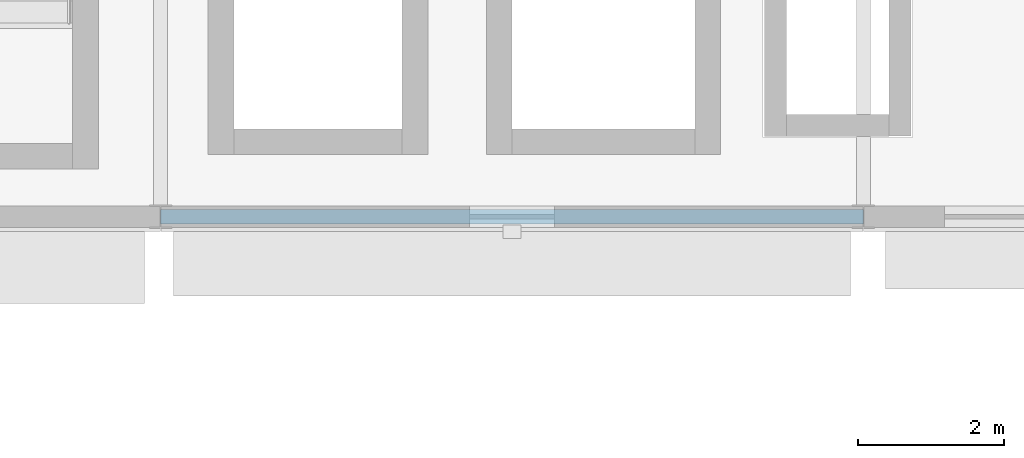
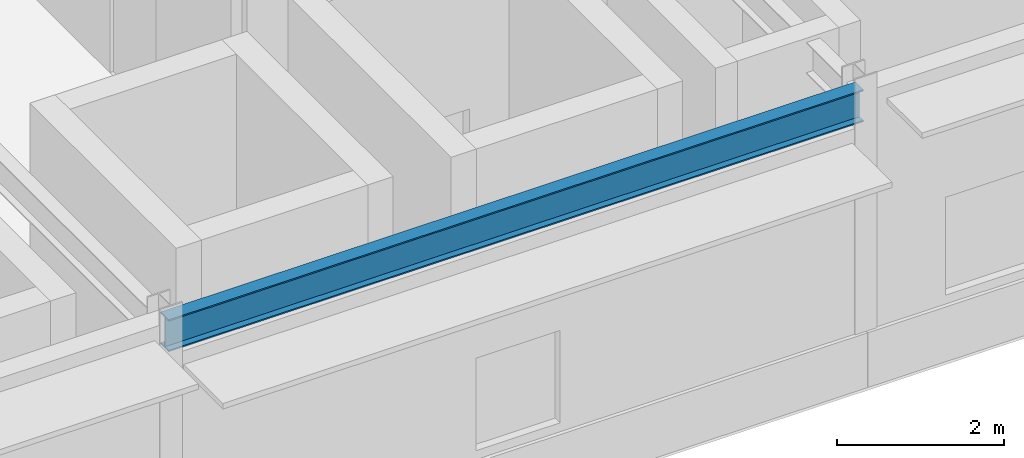
# One storey, part 6 of 50: 1 beam.
"""IFC4 building model written with IfcOpenShell, lengths in metres."""

from ifc_helpers import new_model, si_unit, direction, frame, origin, origin_2d, place, context, subcontext, project, spatial, i_section, extrude, material, material_profile, profile_set, type_object, element, save


model = new_model("IFC4")

# Units and contexts
model_context = context("Model", 3, precision=1e-05, world=origin(), true_north=direction((0.0, 1.0)))
body_context = subcontext(model_context, "Body", "Model", "MODEL_VIEW")
ifc_project = project(units=[si_unit("LENGTHUNIT", "METRE"), si_unit("AREAUNIT", "SQUARE_METRE"), si_unit("VOLUMEUNIT", "CUBIC_METRE"), si_unit("PLANEANGLEUNIT", "RADIAN"), si_unit("MASSUNIT", "GRAM", prefix="KILO")], contexts=[model_context])

# Site, building, storey
site_placement = place(None, origin())
site = spatial("IfcSite", under=ifc_project, at=site_placement, CompositionType="ELEMENT")
building_placement = place(site_placement, origin())
building = spatial("IfcBuilding", under=site, at=building_placement, Name="Almandine Court Research Institute", CompositionType="ELEMENT")
storey_placement = place(building_placement, frame((0.0, 0.0, 23.449951171875)))
storey = spatial("IfcBuildingStorey", under=building, at=storey_placement, Name="L05", CompositionType="ELEMENT", Elevation=23.449951171875)

# Beam
ifc_material = material(Name="Steel ASTM A992 Grade 50", Category="steel")
ifc_material_profile = material_profile(ifc_material, i_section(OverallWidth=0.193115234375, OverallDepth=0.466064453125, WebThickness=0.010986328125, FlangeThickness=0.01904296875, at=origin_2d()), Name="W460x97")
ifc_profile_set = profile_set([ifc_material_profile], Name="Steel ASTM A992 Grade 50")
beam_type = type_object("IfcBeamType", Name="Beam-G-06-E", PredefinedType="SPANDREL", material=ifc_profile_set)
beam_placement = place(storey_placement, frame((15.60009765625, 84.0, 4.074951171875), z_axis=(1.0, 0.0, 0.0), x_axis=(0.0, 1.0, 0.0)))
element("IfcBeam", 1, at=beam_placement, inside=storey, type_object=beam_type, Name="L05 V3 Primary X Girder", PredefinedType="SPANDREL", context=body_context, shape_type="SweptSolid", body=[
    extrude(i_section(OverallWidth=0.193115234375, OverallDepth=0.466064453125, WebThickness=0.010986328125, FlangeThickness=0.01904296875, at=origin_2d()), origin(), (0.0, 0.0, 1.0), 9.599853515625),
])

save(model, "model.ifc")
